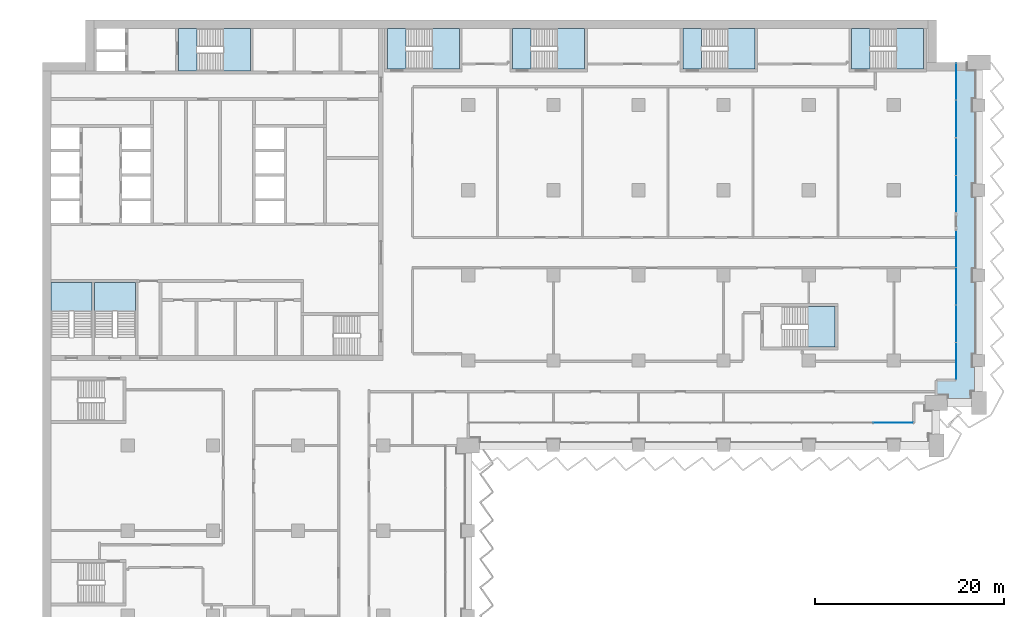
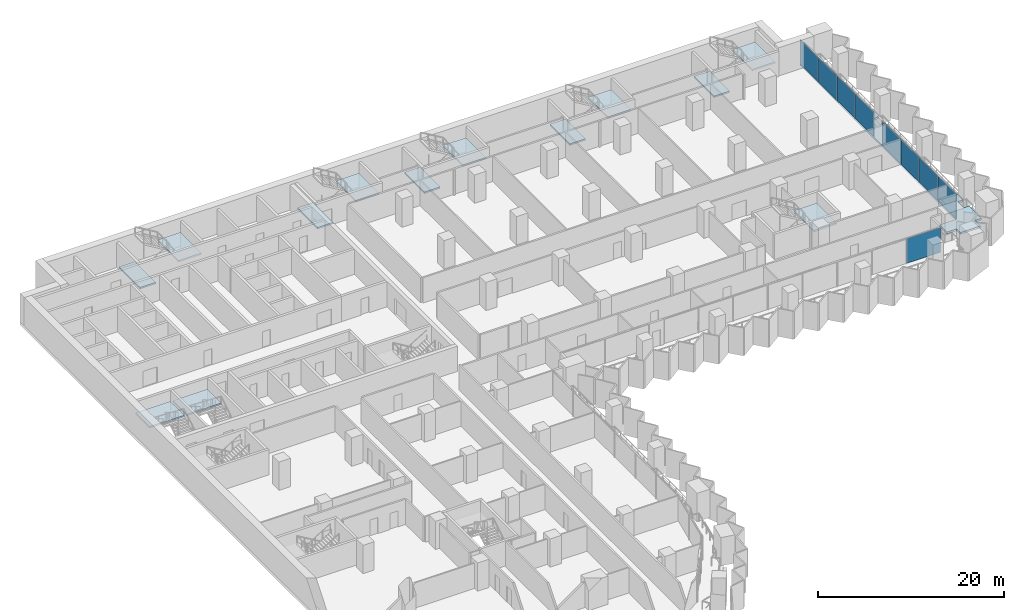
# One storey, part 9 of 29: 14 slabs, 9 plates, 11 elements without a shape of their own.
"""IFC4 building model written with IfcOpenShell, lengths in metres."""

from ifc_helpers import new_model, si_unit, direction, frame, origin, origin_2d, place, context, subcontext, project, spatial, polyline, rectangle, outline, extrude, material, layer, layer_set, type_object, element, aggregate, save


model = new_model("IFC4")

# Units and contexts
model_context = context("Model", 3, precision=1e-05, world=origin(), true_north=direction((0.0, 1.0)))
body_context = subcontext(model_context, "Body", "Model", "MODEL_VIEW")
ifc_project = project(units=[si_unit("LENGTHUNIT", "METRE"), si_unit("AREAUNIT", "SQUARE_METRE"), si_unit("VOLUMEUNIT", "CUBIC_METRE"), si_unit("PLANEANGLEUNIT", "RADIAN"), si_unit("MASSUNIT", "GRAM", prefix="KILO")], contexts=[model_context])

# Site, building, storey
site_placement = place(None, origin())
site = spatial("IfcSite", under=ifc_project, at=site_placement, CompositionType="ELEMENT")
building_placement = place(site_placement, origin())
building = spatial("IfcBuilding", under=site, at=building_placement, Name="Hunhe Ridgeline Campus", CompositionType="ELEMENT")
storey_placement = place(building_placement, frame((0.0, 0.0, 50.60009765625)))
storey = spatial("IfcBuildingStorey", under=building, at=storey_placement, Name="L11", CompositionType="ELEMENT", Elevation=50.60009765625)

# Curtain wall, plate
ifc_material_1 = material(Name="Aluminium 6063", Category="aluminium")
curtain_wall_type = type_object("IfcCurtainWallType", Name="Curtain wall CW-1", PredefinedType="NOTDEFINED", material=ifc_material_1)
curtain_wall_1_placement = place(storey_placement, origin())
curtain_wall_1 = element("IfcCurtainWall", 1, at=curtain_wall_1_placement, inside=storey, type_object=curtain_wall_type, Name="Curtain wall 13", PredefinedType="NOTDEFINED")
ifc_material_2 = material(Name="Low-e laminated glass", Category="glass")
ifc_layer_1 = layer(ifc_material_2, 0.028076171875)
ifc_layer_set_1 = layer_set([ifc_layer_1], Name="Curtain wall glass panel 28 low-e laminated")
plate_type = type_object("IfcPlateType", Name="Curtain wall glass panel 28 low-e laminated", PredefinedType="CURTAIN_PANEL", material=ifc_layer_set_1)
plate_1_placement = place(storey_placement, frame((89.932373046875, 56.40087890625, 0.0), z_axis=(0.0, 0.0, 1.0), x_axis=(0.999999999994, 3.602063e-06, 0.0)))
plate_1 = element("IfcPlate", 2, at=plate_1_placement, type_object=plate_type, Name="CW-1 panel 8", PredefinedType="CURTAIN_PANEL", context=body_context, shape_type="SweptSolid", body=[
    extrude(rectangle(XDim=4.213134765625, YDim=0.028076171875, at=origin_2d()), origin(), (0.0, 0.0, 1.0), 3.239990234375),
])
aggregate(curtain_wall_1, [plate_1])

# Curtain wall, plates
curtain_wall_2_placement = place(storey_placement, origin())
curtain_wall_2 = element("IfcCurtainWall", 3, at=curtain_wall_2_placement, inside=storey, type_object=curtain_wall_type, Name="Curtain wall 14", PredefinedType="NOTDEFINED")
plate_2_placement = place(storey_placement, frame((96.59912109375, 62.9033203125, 0.0), z_axis=(0.0, 0.0, 1.0), x_axis=(0.0, 1.0, 0.0)))
plate_2 = element("IfcPlate", 4, at=plate_2_placement, type_object=plate_type, Name="CW-1 panel 1", PredefinedType="CURTAIN_PANEL", context=body_context, shape_type="SweptSolid", body=[
    extrude(rectangle(XDim=3.884765625, YDim=0.028076171875, at=origin_2d()), origin(), (0.0, 0.0, 1.0), 3.239990234375),
])
plate_3_placement = place(storey_placement, frame((96.59912109375, 66.86328125, 0.0), z_axis=(0.0, 0.0, 1.0), x_axis=(0.0, 1.0, 0.0)))
plate_3 = element("IfcPlate", 5, at=plate_3_placement, type_object=plate_type, Name="CW-1 panel 2", PredefinedType="CURTAIN_PANEL", context=body_context, shape_type="SweptSolid", body=[
    extrude(rectangle(XDim=3.914794921875, YDim=0.028076171875, at=origin_2d()), origin(), (0.0, 0.0, 1.0), 3.239990234375),
])
plate_4_placement = place(storey_placement, frame((96.59912109375, 70.838134765625, 0.0), z_axis=(0.0, 0.0, 1.0), x_axis=(0.0, 1.0, 0.0)))
plate_4 = element("IfcPlate", 6, at=plate_4_placement, type_object=plate_type, Name="CW-1 panel 3", PredefinedType="CURTAIN_PANEL", context=body_context, shape_type="SweptSolid", body=[
    extrude(rectangle(XDim=3.914794921875, YDim=0.028076171875, at=origin_2d()), origin(), (0.0, 0.0, 1.0), 3.239990234375),
])
plate_5_placement = place(storey_placement, frame((96.59912109375, 74.798095703125, 0.0), z_axis=(0.0, 0.0, 1.0), x_axis=(0.0, 1.0, 0.0)))
plate_5 = element("IfcPlate", 7, at=plate_5_placement, type_object=plate_type, Name="CW-1 panel 4", PredefinedType="CURTAIN_PANEL", context=body_context, shape_type="SweptSolid", body=[
    extrude(rectangle(XDim=3.884765625, YDim=0.028076171875, at=origin_2d()), origin(), (0.0, 0.0, 1.0), 3.239990234375),
])
aggregate(curtain_wall_2, [plate_2, plate_3, plate_4, plate_5])

curtain_wall_3_placement = place(storey_placement, origin())
curtain_wall_3 = element("IfcCurtainWall", 8, at=curtain_wall_3_placement, inside=storey, type_object=curtain_wall_type, Name="Curtain wall 15", PredefinedType="NOTDEFINED")
plate_6_placement = place(storey_placement, frame((96.59912109375, 80.60302734375, 0.0), z_axis=(0.0, 0.0, 1.0), x_axis=(0.0, 1.0, 0.0)))
plate_6 = element("IfcPlate", 9, at=plate_6_placement, type_object=plate_type, Name="CW-1 panel 1", PredefinedType="CURTAIN_PANEL", context=body_context, shape_type="SweptSolid", body=[
    extrude(rectangle(XDim=3.884765625, YDim=0.028076171875, at=origin_2d()), origin(), (0.0, 0.0, 1.0), 3.239990234375),
])
plate_7_placement = place(storey_placement, frame((96.59912109375, 84.562744140625, 0.0), z_axis=(0.0, 0.0, 1.0), x_axis=(0.0, 1.0, 0.0)))
plate_7 = element("IfcPlate", 10, at=plate_7_placement, type_object=plate_type, Name="CW-1 panel 2", PredefinedType="CURTAIN_PANEL", context=body_context, shape_type="SweptSolid", body=[
    extrude(rectangle(XDim=3.914794921875, YDim=0.028076171875, at=origin_2d()), origin(), (0.0, 0.0, 1.0), 3.239990234375),
])
plate_8_placement = place(storey_placement, frame((96.59912109375, 88.53759765625, 0.0), z_axis=(0.0, 0.0, 1.0), x_axis=(0.0, 1.0, 0.0)))
plate_8 = element("IfcPlate", 11, at=plate_8_placement, type_object=plate_type, Name="CW-1 panel 3", PredefinedType="CURTAIN_PANEL", context=body_context, shape_type="SweptSolid", body=[
    extrude(rectangle(XDim=3.914794921875, YDim=0.028076171875, at=origin_2d()), origin(), (0.0, 0.0, 1.0), 3.239990234375),
])
plate_9_placement = place(storey_placement, frame((96.59912109375, 92.49755859375, 0.0), z_axis=(0.0, 0.0, 1.0), x_axis=(0.0, 1.0, 0.0)))
plate_9 = element("IfcPlate", 12, at=plate_9_placement, type_object=plate_type, Name="CW-1 panel 4", PredefinedType="CURTAIN_PANEL", context=body_context, shape_type="SweptSolid", body=[
    extrude(rectangle(XDim=3.884765625, YDim=0.028076171875, at=origin_2d()), origin(), (0.0, 0.0, 1.0), 3.239990234375),
])
aggregate(curtain_wall_3, [plate_6, plate_7, plate_8, plate_9])

# Slab
ifc_material_3 = material(Name="Concrete C40", Category="concrete")
ifc_layer_2 = layer(ifc_material_3, 0.25)
ifc_layer_set_2 = layer_set([ifc_layer_2], Name="Loggia slab 250 Concrete C40")
slab_type_1 = type_object("IfcSlabType", Name="Loggia slab 250 Concrete C40", PredefinedType="FLOOR", material=ifc_layer_set_2)
slab_1_placement = place(storey_placement, frame((0.0, 0.0, -0.25)))
element("IfcSlab", 13, at=slab_1_placement, inside=storey, type_object=slab_type_1, Name="Loggia slab 3", PredefinedType="FLOOR", context=body_context, shape_type="SweptSolid", body=[
    extrude(outline(polyline([(94.5, 59.300048828125), (95.699951171875, 59.300048828125), (95.699951171875, 58.5), (98.199951171875, 58.5), (98.199951171875, 59.699951171875), (99.0, 59.699951171875), (99.0, 62.35009765625), (98.35009765625, 62.35009765625), (98.35009765625, 63.64990234375), (99.0, 63.64990234375), (99.0, 71.35009765625), (98.35009765625, 71.35009765625), (98.35009765625, 72.64990234375), (99.0, 72.64990234375), (99.0, 80.35009765625), (98.35009765625, 80.35009765625), (98.35009765625, 81.64990234375), (99.0, 81.64990234375), (99.0, 89.35009765625), (98.35009765625, 89.35009765625), (98.35009765625, 90.64990234375), (99.0, 90.64990234375), (99.0, 93.699951171875), (97.800048828125, 93.699951171875), (97.800048828125, 94.5), (96.60009765625, 94.5), (96.60009765625, 60.89990234375), (94.5, 60.89990234375), (94.5, 59.300048828125)])), origin(), (0.0, 0.0, 1.0), 0.25),
])

# Stair, slab
stair_type = type_object("IfcStairType", Name="Reinforced concrete dog-leg stair 1950 Concrete C40", PredefinedType="HALF_TURN_STAIR", material=ifc_material_3)
stair_1_placement = place(storey_placement, origin())
stair_1 = element("IfcStair", 14, at=stair_1_placement, inside=storey, type_object=stair_type, Name="L11 S1", PredefinedType="HALF_TURN_STAIR")
ifc_layer_3 = layer(ifc_material_3, 0.199951171875)
ifc_layer_set_3 = layer_set([ifc_layer_3], Name="Reinforced concrete stair landing 200 Concrete C40")
slab_type_2 = type_object("IfcSlabType", Name="Reinforced concrete stair landing 200 Concrete C40", PredefinedType="LANDING", material=ifc_layer_set_3)
slab_2_placement = place(storey_placement, frame((0.0, 0.0, 1.64990234375)))
slab_2 = element("IfcSlab", 15, at=slab_2_placement, type_object=slab_type_2, Name="ST1 landing 1", PredefinedType="LANDING", context=body_context, shape_type="SweptSolid", body=[
    extrude(outline(polyline([(19.10009765625, 93.60009765625), (21.949951171875, 93.60009765625), (21.949951171875, 98.10009765625), (19.10009765625, 98.10009765625), (19.10009765625, 93.60009765625)])), origin(), (0.0, 0.0, 1.0), 0.199951171875),
])
aggregate(stair_1, [slab_2])

# Slab
slab_3_placement = place(storey_placement, frame((0.0, 0.0, -0.2001953125)))
element("IfcSlab", 16, at=slab_3_placement, inside=storey, type_object=slab_type_2, Name="L11 stair S1 floor landing", PredefinedType="LANDING", context=body_context, shape_type="SweptSolid", body=[
    extrude(outline(polyline([(14.35009765625, 93.60009765625), (16.300048828125, 93.60009765625), (16.300048828125, 98.10009765625), (14.35009765625, 98.10009765625), (14.35009765625, 93.60009765625)])), origin(), (0.0, 0.0, 1.0), 0.2001953125),
])

# Stair, slab
stair_2_placement = place(storey_placement, origin())
stair_2 = element("IfcStair", 17, at=stair_2_placement, inside=storey, type_object=stair_type, Name="L11 S3", PredefinedType="HALF_TURN_STAIR")
slab_4_placement = place(storey_placement, frame((0.0, 0.0, 1.64990234375)))
slab_4 = element("IfcSlab", 18, at=slab_4_placement, type_object=slab_type_2, Name="ST3 landing 1", PredefinedType="LANDING", context=body_context, shape_type="SweptSolid", body=[
    extrude(outline(polyline([(5.199951171875, 68.25), (5.199951171875, 71.25), (0.89990234375, 71.25), (0.89990234375, 68.25), (5.199951171875, 68.25)])), origin(), (0.0, 0.0, 1.0), 0.199951171875),
])
aggregate(stair_2, [slab_4])

stair_3_placement = place(storey_placement, origin())
stair_3 = element("IfcStair", 19, at=stair_3_placement, inside=storey, type_object=stair_type, Name="L11 S4", PredefinedType="HALF_TURN_STAIR")
slab_5_placement = place(storey_placement, frame((0.0, 0.0, 1.64990234375)))
slab_5 = element("IfcSlab", 20, at=slab_5_placement, type_object=slab_type_2, Name="ST4 landing 1", PredefinedType="LANDING", context=body_context, shape_type="SweptSolid", body=[
    extrude(outline(polyline([(9.800048828125, 68.25), (9.800048828125, 71.25), (5.5, 71.25), (5.5, 68.25), (9.800048828125, 68.25)])), origin(), (0.0, 0.0, 1.0), 0.199951171875),
])
aggregate(stair_3, [slab_5])

stair_4_placement = place(storey_placement, origin())
stair_4 = element("IfcStair", 21, at=stair_4_placement, inside=storey, type_object=stair_type, Name="L11 E1", PredefinedType="HALF_TURN_STAIR")
slab_6_placement = place(storey_placement, frame((0.0, 0.0, 1.64990234375)))
slab_6 = element("IfcSlab", 22, at=slab_6_placement, type_object=slab_type_2, Name="ST5 landing 1", PredefinedType="LANDING", context=body_context, shape_type="SweptSolid", body=[
    extrude(outline(polyline([(41.199951171875, 93.800048828125), (44.050048828125, 93.800048828125), (44.050048828125, 98.10009765625), (41.199951171875, 98.10009765625), (41.199951171875, 93.800048828125)])), origin(), (0.0, 0.0, 1.0), 0.199951171875),
])
aggregate(stair_4, [slab_6])

# Slab
slab_7_placement = place(storey_placement, frame((0.0, 0.0, -0.2001953125)))
element("IfcSlab", 23, at=slab_7_placement, inside=storey, type_object=slab_type_2, Name="L11 stair E1 floor landing", PredefinedType="LANDING", context=body_context, shape_type="SweptSolid", body=[
    extrude(outline(polyline([(36.449951171875, 93.800048828125), (38.39990234375, 93.800048828125), (38.39990234375, 98.10009765625), (36.449951171875, 98.10009765625), (36.449951171875, 93.800048828125)])), origin(), (0.0, 0.0, 1.0), 0.2001953125),
])

# Stair, slab
stair_5_placement = place(storey_placement, origin())
stair_5 = element("IfcStair", 24, at=stair_5_placement, inside=storey, type_object=stair_type, Name="L11 E2", PredefinedType="HALF_TURN_STAIR")
slab_8_placement = place(storey_placement, frame((0.0, 0.0, 1.64990234375)))
slab_8 = element("IfcSlab", 25, at=slab_8_placement, type_object=slab_type_2, Name="ST6 landing 1", PredefinedType="LANDING", context=body_context, shape_type="SweptSolid", body=[
    extrude(outline(polyline([(54.449951171875, 93.800048828125), (57.300048828125, 93.800048828125), (57.300048828125, 98.10009765625), (54.449951171875, 98.10009765625), (54.449951171875, 93.800048828125)])), origin(), (0.0, 0.0, 1.0), 0.199951171875),
])
aggregate(stair_5, [slab_8])

# Slab
slab_9_placement = place(storey_placement, frame((0.0, 0.0, -0.2001953125)))
element("IfcSlab", 26, at=slab_9_placement, inside=storey, type_object=slab_type_2, Name="L11 stair E2 floor landing", PredefinedType="LANDING", context=body_context, shape_type="SweptSolid", body=[
    extrude(outline(polyline([(49.699951171875, 93.800048828125), (51.64990234375, 93.800048828125), (51.64990234375, 98.10009765625), (49.699951171875, 98.10009765625), (49.699951171875, 93.800048828125)])), origin(), (0.0, 0.0, 1.0), 0.2001953125),
])

# Stair, slab
stair_6_placement = place(storey_placement, origin())
stair_6 = element("IfcStair", 27, at=stair_6_placement, inside=storey, type_object=stair_type, Name="L11 E3", PredefinedType="HALF_TURN_STAIR")
slab_10_placement = place(storey_placement, frame((0.0, 0.0, 1.64990234375)))
slab_10 = element("IfcSlab", 28, at=slab_10_placement, type_object=slab_type_2, Name="ST7 landing 1", PredefinedType="LANDING", context=body_context, shape_type="SweptSolid", body=[
    extrude(outline(polyline([(72.449951171875, 93.800048828125), (75.300048828125, 93.800048828125), (75.300048828125, 98.10009765625), (72.449951171875, 98.10009765625), (72.449951171875, 93.800048828125)])), origin(), (0.0, 0.0, 1.0), 0.199951171875),
])
aggregate(stair_6, [slab_10])

# Slab
slab_11_placement = place(storey_placement, frame((0.0, 0.0, -0.2001953125)))
element("IfcSlab", 29, at=slab_11_placement, inside=storey, type_object=slab_type_2, Name="L11 stair E3 floor landing", PredefinedType="LANDING", context=body_context, shape_type="SweptSolid", body=[
    extrude(outline(polyline([(67.699951171875, 93.800048828125), (69.64990234375, 93.800048828125), (69.64990234375, 98.10009765625), (67.699951171875, 98.10009765625), (67.699951171875, 93.800048828125)])), origin(), (0.0, 0.0, 1.0), 0.2001953125),
])

# Stair, slab
stair_7_placement = place(storey_placement, origin())
stair_7 = element("IfcStair", 30, at=stair_7_placement, inside=storey, type_object=stair_type, Name="L11 E4", PredefinedType="HALF_TURN_STAIR")
slab_12_placement = place(storey_placement, frame((0.0, 0.0, 1.64990234375)))
slab_12 = element("IfcSlab", 31, at=slab_12_placement, type_object=slab_type_2, Name="ST8 landing 1", PredefinedType="LANDING", context=body_context, shape_type="SweptSolid", body=[
    extrude(outline(polyline([(90.300048828125, 93.800048828125), (93.14990234375, 93.800048828125), (93.14990234375, 98.10009765625), (90.300048828125, 98.10009765625), (90.300048828125, 93.800048828125)])), origin(), (0.0, 0.0, 1.0), 0.199951171875),
])
aggregate(stair_7, [slab_12])

# Slab
slab_13_placement = place(storey_placement, frame((0.0, 0.0, -0.2001953125)))
element("IfcSlab", 32, at=slab_13_placement, inside=storey, type_object=slab_type_2, Name="L11 stair E4 floor landing", PredefinedType="LANDING", context=body_context, shape_type="SweptSolid", body=[
    extrude(outline(polyline([(85.550048828125, 93.800048828125), (87.5, 93.800048828125), (87.5, 98.10009765625), (85.550048828125, 98.10009765625), (85.550048828125, 93.800048828125)])), origin(), (0.0, 0.0, 1.0), 0.2001953125),
])

# Stair, slab
stair_8_placement = place(storey_placement, origin())
stair_8 = element("IfcStair", 33, at=stair_8_placement, inside=storey, type_object=stair_type, Name="L11 E5", PredefinedType="HALF_TURN_STAIR")
slab_14_placement = place(storey_placement, frame((0.0, 0.0, 1.64990234375)))
slab_14 = element("IfcSlab", 34, at=slab_14_placement, type_object=slab_type_2, Name="ST10 landing 1", PredefinedType="LANDING", context=body_context, shape_type="SweptSolid", body=[
    extrude(outline(polyline([(80.949951171875, 64.39990234375), (83.800048828125, 64.39990234375), (83.800048828125, 68.699951171875), (80.949951171875, 68.699951171875), (80.949951171875, 64.39990234375)])), origin(), (0.0, 0.0, 1.0), 0.199951171875),
])
aggregate(stair_8, [slab_14])

save(model, "model.ifc")
